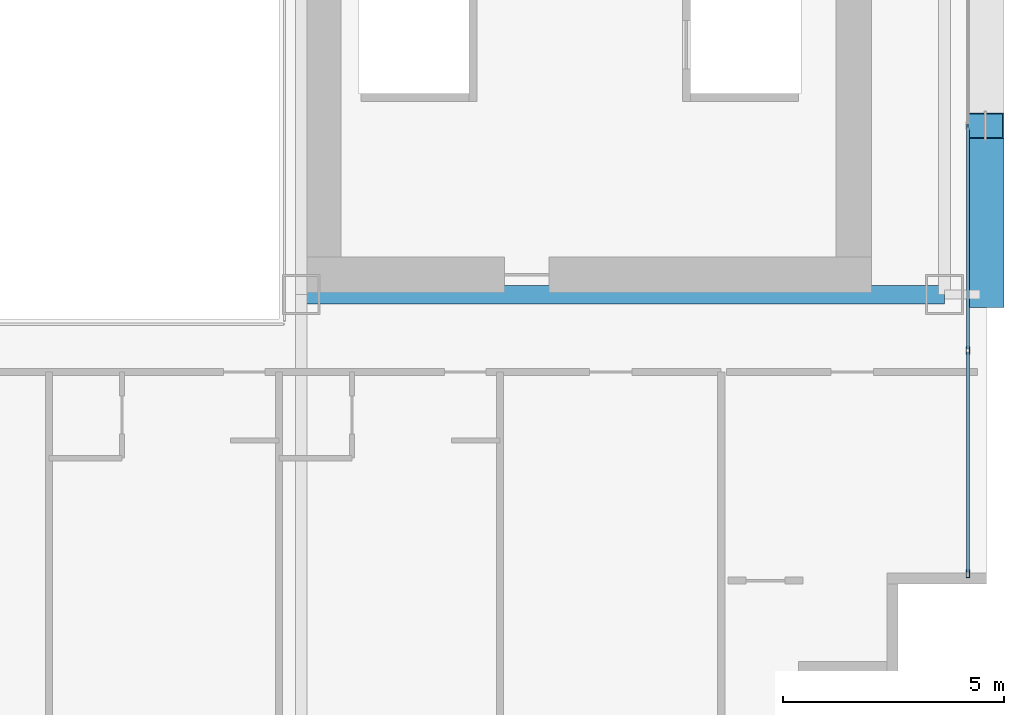
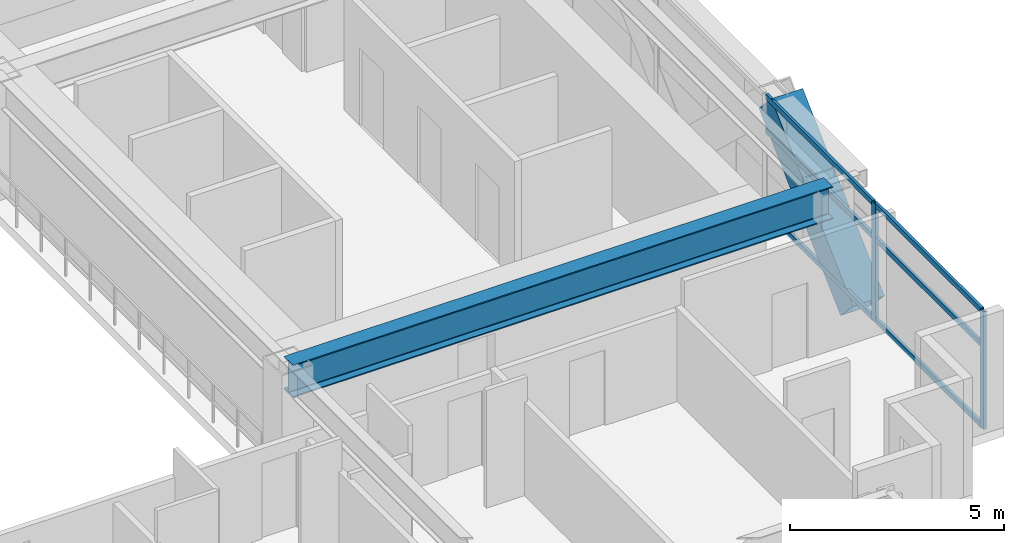
# One storey, part 11 of 35: 9 members, 1 beam, 1 element without a shape of its own.
"""IFC4 building model written with IfcOpenShell, lengths in metres."""

from ifc_helpers import new_model, si_unit, direction, frame, origin, origin_2d, place, context, subcontext, project, spatial, hollow_rectangle, i_section, extrude, source, transform, mapped, material, layer, layer_set, material_profile, profile_set, type_object, element, aggregate, save


model = new_model("IFC4")

# Units and contexts
model_context = context("Model", 3, precision=1e-05, world=origin(), true_north=direction((0.0, 1.0)))
body_context = subcontext(model_context, "Body", "Model", "MODEL_VIEW")
ifc_project = project(units=[si_unit("LENGTHUNIT", "METRE"), si_unit("AREAUNIT", "SQUARE_METRE"), si_unit("VOLUMEUNIT", "CUBIC_METRE"), si_unit("PLANEANGLEUNIT", "RADIAN"), si_unit("MASSUNIT", "GRAM", prefix="KILO")], contexts=[model_context])

# Site, building, storey
site_placement = place(None, origin())
site = spatial("IfcSite", under=ifc_project, at=site_placement, CompositionType="ELEMENT")
building_placement = place(site_placement, origin())
building = spatial("IfcBuilding", under=site, at=building_placement, Name="Ocotamira Hotel", CompositionType="ELEMENT")
storey_placement = place(building_placement, frame((0.0, 0.0, 70.800048828125)))
storey = spatial("IfcBuildingStorey", under=building, at=storey_placement, Name="L17", CompositionType="ELEMENT", Elevation=70.800048828125)

# Beam
ifc_material_1 = material(Name="Steel ASTM A992 Grade 50", Category="steel")
ifc_material_profile_1 = material_profile(ifc_material_1, i_section(OverallWidth=0.41796875, OverallDepth=0.927001953125, WebThickness=0.019287109375, FlangeThickness=0.031982421875, FilletRadius=0.02392578125, at=origin_2d()), Name="W36X231")
ifc_profile_set_1 = profile_set([ifc_material_profile_1], Name="Steel ASTM A992 Grade 50")
beam_type = type_object("IfcBeamType", Name="BM-GIRD-W36X231", PredefinedType="BEAM", material=ifc_profile_set_1)
shared_shape_1 = source(origin(), body_context, "Body", "SweptSolid", [
    extrude(i_section(OverallWidth=0.41796875, OverallDepth=0.927001953125, WebThickness=0.019287109375, FlangeThickness=0.031982421875, FilletRadius=0.02392578125, at=origin_2d()), origin(), (0.0, 0.0, 1.0), 14.550048828125),
])
beam_placement = place(storey_placement, frame((40.5, 14.550048828125, 2.886474609375), z_axis=(1.0, 0.0, 0.0), x_axis=(0.0, 1.0, 0.0)))
element("IfcBeam", 1, at=beam_placement, inside=storey, type_object=beam_type, Name="L17 Girder Y14.55 X40.5-55.05", PredefinedType="BEAM", context=body_context, shape_type="MappedRepresentation", body=[
    mapped(shared_shape_1, transform((0.0, 0.0, 0.0), scale=1.0)),
])

# Member
ifc_material_2 = material(Name="Pale-metal coated steel ASTM A913 Grade 65", Category="steel")
ifc_material_profile_2 = material_profile(ifc_material_2, hollow_rectangle(XDim=0.85009765625, YDim=0.85009765625, WallThickness=0.035888671875, at=origin_2d()), Name="BOX850X850X36")
ifc_profile_set_2 = profile_set([ifc_material_profile_2], Name="Pale-metal coated steel ASTM A913 Grade 65")
member_type_1 = type_object("IfcMemberType", Name="MEM-EXO-BOX850", PredefinedType="BRACE", material=ifc_profile_set_2)
shared_shape_2 = source(origin(), body_context, "Body", "SweptSolid", [
    extrude(hollow_rectangle(XDim=0.85009765625, YDim=0.85009765625, WallThickness=0.035888671875, at=origin_2d()), origin(), (0.0, 0.0, 1.0), 5.24658203125),
])
member_1_placement = place(storey_placement, frame((55.969970703125, 14.550048828125, -0.5), z_axis=(0.0, 0.72746596067, 0.686143772154), x_axis=(-1.0, 0.0, 0.0)))
element("IfcMember", 2, at=member_1_placement, inside=storey, type_object=member_type_1, Name="L17 Exoskeleton Diagrid E0.1", PredefinedType="BRACE", context=body_context, shape_type="MappedRepresentation", body=[
    mapped(shared_shape_2, transform((0.0, 0.0, 0.0), scale=1.0)),
])

# Curtain wall, members
ifc_material_3 = material(Name="Anodised pale-metal aluminium and solar glass", Category="aluminium")
ifc_layer = layer(ifc_material_3, 0.179931640625)
ifc_layer_set = layer_set([ifc_layer], Name="Anodised pale-metal aluminium and solar glass")
curtain_wall_type = type_object("IfcCurtainWallType", Name="CW-SYS2-Z1", PredefinedType="NOTDEFINED", material=ifc_layer_set)
curtain_wall_placement = place(storey_placement, origin())
curtain_wall = element("IfcCurtainWall", 3, at=curtain_wall_placement, inside=storey, type_object=curtain_wall_type, Name="L17 Curtain Wall CW-2 CW-L17-E", PredefinedType="NOTDEFINED")
ifc_material_4 = material(Name="Anodised pale-metal aluminium 6063-T6", Category="aluminium")
ifc_material_profile_3 = material_profile(ifc_material_4, hollow_rectangle(XDim=0.080078125, YDim=0.179931640625, WallThickness=0.006103515625, at=origin_2d()), Name="HSS180X80X6")
ifc_profile_set_3 = profile_set([ifc_material_profile_3], Name="Anodised pale-metal aluminium 6063-T6")
member_type_2 = type_object("IfcMemberType", Name="CWM-180X75", PredefinedType="MULLION", material=ifc_profile_set_3)
shared_shape_3 = source(origin(), body_context, "Body", "SweptSolid", [
    extrude(hollow_rectangle(XDim=0.080078125, YDim=0.179931640625, WallThickness=0.006103515625, at=origin_2d()), origin(), (0.0, 0.0, 1.0), 3.349853515625),
])
member_2_placement = place(storey_placement, frame((55.580078125, 8.239990234375, 0.0), z_axis=(0.0, 0.0, 1.0), x_axis=(-1.0, 0.0, 0.0)))
member_2 = element("IfcMember", 4, at=member_2_placement, type_object=member_type_2, Name="CW-2 mullion 1", PredefinedType="MULLION", context=body_context, shape_type="MappedRepresentation", body=[
    mapped(shared_shape_3, transform((0.0, 0.0, 0.0), scale=1.0)),
])
member_3_placement = place(storey_placement, frame((55.580078125, 13.28564453125, 0.0), z_axis=(0.0, 0.0, 1.0), x_axis=(-1.0, 0.0, 0.0)))
member_3 = element("IfcMember", 5, at=member_3_placement, type_object=member_type_2, Name="CW-2 mullion 2", PredefinedType="MULLION", context=body_context, shape_type="MappedRepresentation", body=[
    mapped(shared_shape_3, transform((0.0, 0.0, 0.0), scale=1.0)),
])
ifc_material_profile_4 = material_profile(ifc_material_4, hollow_rectangle(XDim=0.074951171875, YDim=0.14990234375, WallThickness=0.006103515625, at=origin_2d()), Name="HSS150X75X6")
ifc_profile_set_4 = profile_set([ifc_material_profile_4], Name="Anodised pale-metal aluminium 6063-T6")
member_type_3 = type_object("IfcMemberType", Name="CWT-150X75", PredefinedType="USERDEFINED", material=ifc_profile_set_4)
shared_shape_4 = source(origin(), body_context, "Body", "SweptSolid", [
    extrude(hollow_rectangle(XDim=0.074951171875, YDim=0.14990234375, WallThickness=0.006103515625, at=origin_2d()), origin(), (0.0, 0.0, 1.0), 4.965576171875),
])
member_4_placement = place(storey_placement, frame((55.580078125, 8.280029296875, 0.037353515625), z_axis=(0.0, 1.0, 0.0), x_axis=(-1.0, 0.0, 0.0)))
member_4 = element("IfcMember", 6, at=member_4_placement, type_object=member_type_3, Name="CW-2 transom 1.1", ObjectType="TRANSOM", PredefinedType="USERDEFINED", context=body_context, shape_type="MappedRepresentation", body=[
    mapped(shared_shape_4, transform((0.0, 0.0, 0.0), scale=1.0)),
])
member_5_placement = place(storey_placement, frame((55.580078125, 8.280029296875, 2.349853515625), z_axis=(0.0, 1.0, 0.0), x_axis=(-1.0, 0.0, 0.0)))
member_5 = element("IfcMember", 7, at=member_5_placement, type_object=member_type_3, Name="CW-2 transom 1.2", ObjectType="TRANSOM", PredefinedType="USERDEFINED", context=body_context, shape_type="MappedRepresentation", body=[
    mapped(shared_shape_4, transform((0.0, 0.0, 0.0), scale=1.0)),
])
member_6_placement = place(storey_placement, frame((55.580078125, 8.280029296875, 3.3125), z_axis=(0.0, 1.0, 0.0), x_axis=(-1.0, 0.0, 0.0)))
member_6 = element("IfcMember", 8, at=member_6_placement, type_object=member_type_3, Name="CW-2 transom 1.3", ObjectType="TRANSOM", PredefinedType="USERDEFINED", context=body_context, shape_type="MappedRepresentation", body=[
    mapped(shared_shape_4, transform((0.0, 0.0, 0.0), scale=1.0)),
])
shared_shape_5 = source(origin(), body_context, "Body", "SweptSolid", [
    extrude(hollow_rectangle(XDim=0.074951171875, YDim=0.14990234375, WallThickness=0.006103515625, at=origin_2d()), origin(), (0.0, 0.0, 1.0), 5.005859375),
])
member_7_placement = place(storey_placement, frame((55.580078125, 13.32568359375, 0.037353515625), z_axis=(0.0, 1.0, 0.0), x_axis=(-1.0, 0.0, 0.0)))
member_7 = element("IfcMember", 9, at=member_7_placement, type_object=member_type_3, Name="CW-2 transom 2.1", ObjectType="TRANSOM", PredefinedType="USERDEFINED", context=body_context, shape_type="MappedRepresentation", body=[
    mapped(shared_shape_5, transform((0.0, 0.0, 0.0), scale=1.0)),
])
member_8_placement = place(storey_placement, frame((55.580078125, 13.32568359375, 2.349853515625), z_axis=(0.0, 1.0, 0.0), x_axis=(-1.0, 0.0, 0.0)))
member_8 = element("IfcMember", 10, at=member_8_placement, type_object=member_type_3, Name="CW-2 transom 2.2", ObjectType="TRANSOM", PredefinedType="USERDEFINED", context=body_context, shape_type="MappedRepresentation", body=[
    mapped(shared_shape_5, transform((0.0, 0.0, 0.0), scale=1.0)),
])
member_9_placement = place(storey_placement, frame((55.580078125, 13.32568359375, 3.3125), z_axis=(0.0, 1.0, 0.0), x_axis=(-1.0, 0.0, 0.0)))
member_9 = element("IfcMember", 11, at=member_9_placement, type_object=member_type_3, Name="CW-2 transom 2.3", ObjectType="TRANSOM", PredefinedType="USERDEFINED", context=body_context, shape_type="MappedRepresentation", body=[
    mapped(shared_shape_5, transform((0.0, 0.0, 0.0), scale=1.0)),
])
aggregate(curtain_wall, [member_2, member_3, member_4, member_5, member_6, member_7, member_8, member_9])

save(model, "model.ifc")
